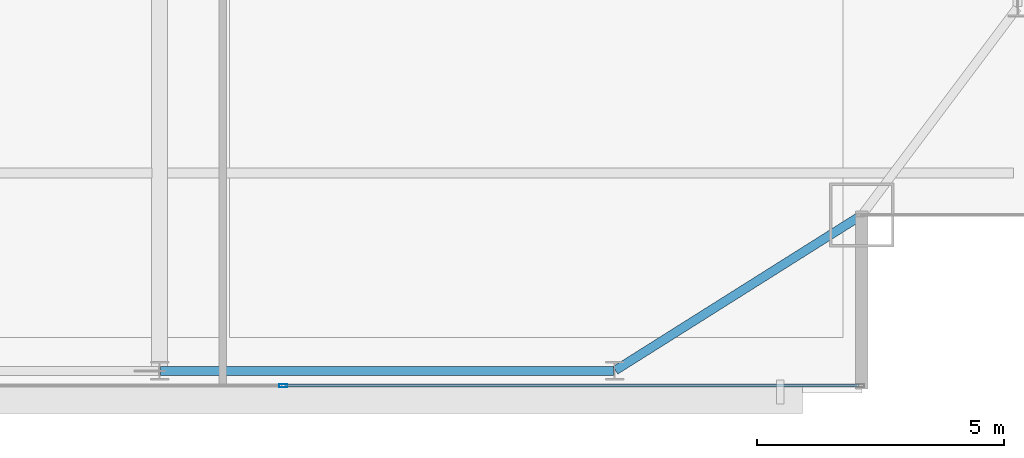
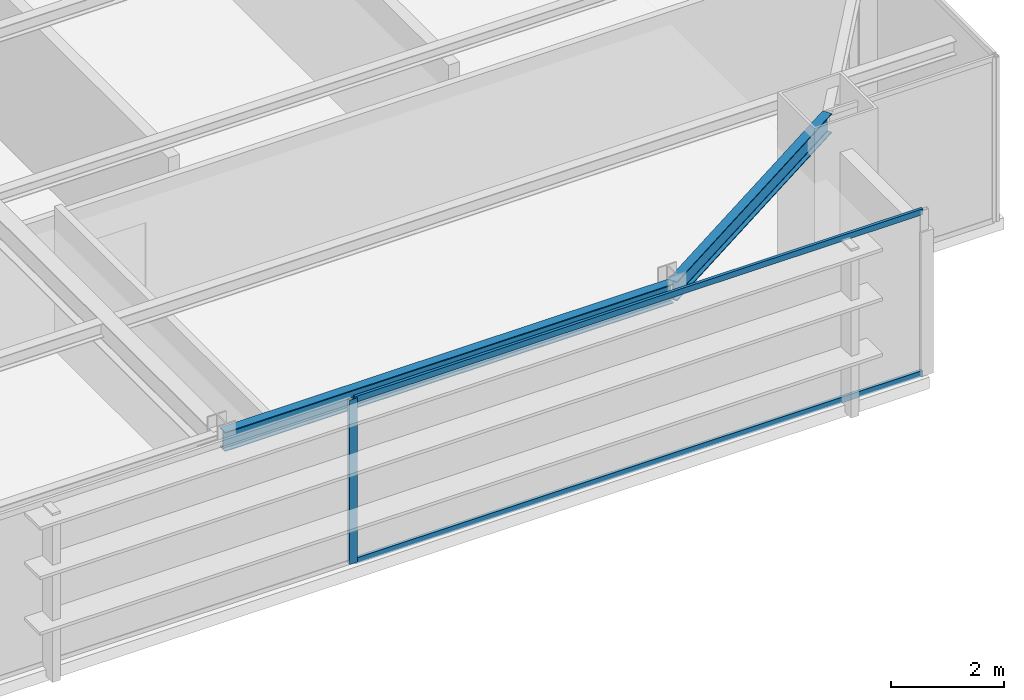
# One storey, part 13 of 29: 3 members, 2 beams, 1 element without a shape of its own.
"""IFC4 building model written with IfcOpenShell, lengths in metres."""

from ifc_helpers import new_model, si_unit, direction, frame, origin, origin_2d, place, context, subcontext, project, spatial, hollow_rectangle, i_section, extrude, source, transform, mapped, material, layer, layer_set, material_profile, profile_set, type_object, type_shapes, element, aggregate, save


model = new_model("IFC4")

# Units and contexts
model_context = context("Model", 3, precision=1e-05, world=origin(), true_north=direction((0.0, 1.0)))
body_context = subcontext(model_context, "Body", "Model", "MODEL_VIEW")
ifc_project = project(units=[si_unit("LENGTHUNIT", "METRE"), si_unit("AREAUNIT", "SQUARE_METRE"), si_unit("VOLUMEUNIT", "CUBIC_METRE"), si_unit("PLANEANGLEUNIT", "RADIAN"), si_unit("MASSUNIT", "GRAM", prefix="KILO")], contexts=[model_context])

# Site, building, storey
site_placement = place(None, origin())
site = spatial("IfcSite", under=ifc_project, at=site_placement, CompositionType="ELEMENT")
building_placement = place(site_placement, origin())
building = spatial("IfcBuilding", under=site, at=building_placement, Name="Varnel Quay Broadcast Tower", CompositionType="ELEMENT")
storey_placement = place(building_placement, frame((0.0, 0.0, 172.39990234375)))
storey = spatial("IfcBuildingStorey", under=building, at=storey_placement, Name="L42", CompositionType="ELEMENT", Elevation=172.39990234375)

# Beams
ifc_material_1 = material(Name="Structural Steel CSA G40.21 350W", Category="steel")
ifc_material_profile_1 = material_profile(ifc_material_1, i_section(OverallWidth=0.180908203125, OverallDepth=0.4169921875, WebThickness=0.010986328125, FlangeThickness=0.018310546875, FilletRadius=0.011962890625, at=origin_2d()), Name="W410X85")
ifc_profile_set_1 = profile_set([ifc_material_profile_1], Name="Structural Steel CSA G40.21 350W")
beam_type = type_object("IfcBeamType", Name="Beam_W410X85", PredefinedType="SPANDREL", material=ifc_profile_set_1)
shared_shape_1 = source(origin(), body_context, "Body", "SweptSolid", [
    extrude(i_section(OverallWidth=0.180908203125, OverallDepth=0.4169921875, WebThickness=0.010986328125, FlangeThickness=0.018310546875, FilletRadius=0.011962890625, at=origin_2d()), origin(), (0.0, 0.0, 1.0), 9.159912109375),
])
beam_1_placement = place(storey_placement, frame((43.219970703125, 7.64990234375, 3.341552734375), z_axis=(1.0, 0.0, 0.0), x_axis=(0.0, 1.0, 0.0)))
element("IfcBeam", 1, at=beam_1_placement, inside=storey, type_object=beam_type, Name="L42 South Spandrel TC-S4-TC-S5", PredefinedType="SPANDREL", context=body_context, shape_type="MappedRepresentation", body=[
    mapped(shared_shape_1, transform((0.0, 0.0, 0.0), x_axis=(1.0, 0.0, 0.0), y_axis=(0.0, 1.0, 0.0), z_axis=(0.0, 0.0, 1.0), scale=1.0)),
])
shared_shape_2 = source(origin(), body_context, "Body", "SweptSolid", [
    extrude(i_section(OverallWidth=0.180908203125, OverallDepth=0.4169921875, WebThickness=0.010986328125, FlangeThickness=0.018310546875, FilletRadius=0.011962890625, at=origin_2d()), origin(), (0.0, 0.0, 1.0), 5.869384765625),
])
type_shapes(beam_type, [shared_shape_1, shared_shape_2])
beam_2_placement = place(storey_placement, frame((52.4169921875, 7.66064453125, 3.341552734375), z_axis=(0.846088328928, 0.533042718412, 0.0), x_axis=(-0.533042718412, 0.846088328928, 0.0)))
element("IfcBeam", 2, at=beam_2_placement, inside=storey, type_object=beam_type, Name="L42 South Spandrel TC-S5-MC-SE", PredefinedType="SPANDREL", context=body_context, shape_type="MappedRepresentation", body=[
    mapped(shared_shape_2, transform((0.0, 0.0, 0.0), x_axis=(1.0, 0.0, 0.0), y_axis=(0.0, 1.0, 0.0), z_axis=(0.0, 0.0, 1.0), scale=1.0)),
])

# Curtain wall, members
ifc_material_2 = material(Name="Anodised Bronze Aluminium 6063-T6", Category="aluminium")
ifc_layer = layer(ifc_material_2, 0.18994140625, Name="Anodised Bronze Aluminium 6063-T6")
ifc_layer_set = layer_set([ifc_layer], Name="Anodised Bronze Aluminium 6063-T6")
curtain_wall_type = type_object("IfcCurtainWallType", Name="CW_UpperTower", PredefinedType="NOTDEFINED", material=ifc_layer_set)
curtain_wall_placement = place(storey_placement, origin())
curtain_wall = element("IfcCurtainWall", 3, at=curtain_wall_placement, inside=storey, type_object=curtain_wall_type, Name="L42 South Unitised Curtain Wall 1", PredefinedType="NOTDEFINED")
ifc_material_profile_2 = material_profile(ifc_material_2, hollow_rectangle(XDim=0.06494140625, YDim=0.1650390625, WallThickness=0.00341796875, at=origin_2d()), Name="ALU65X165X3.5")
ifc_profile_set_2 = profile_set([ifc_material_profile_2], Name="Anodised Bronze Aluminium 6063-T6")
member_type_1 = type_object("IfcMemberType", Name="Mull_CWS-03", PredefinedType="MULLION", material=ifc_profile_set_2)
shared_shape_3 = source(origin(), body_context, "Body", "SweptSolid", [
    extrude(hollow_rectangle(XDim=0.06494140625, YDim=0.1650390625, WallThickness=0.00341796875, at=origin_2d()), origin(), (0.0, 0.0, 1.0), 3.550048828125),
])
type_shapes(member_type_1, [shared_shape_3])
member_1_placement = place(storey_placement, frame((45.699951171875, 7.35009765625, 0.0), z_axis=(0.0, 0.0, 1.0), x_axis=(0.0, 1.0, 0.0)))
member_1 = element("IfcMember", 4, at=member_1_placement, type_object=member_type_1, Name="CWS-03 mullion 4", PredefinedType="MULLION", context=body_context, shape_type="MappedRepresentation", body=[
    mapped(shared_shape_3, transform((0.0, 0.0, 0.0), x_axis=(1.0, 0.0, 0.0), y_axis=(0.0, 1.0, 0.0), z_axis=(0.0, 0.0, 1.0), scale=1.0)),
])
ifc_material_profile_3 = material_profile(ifc_material_2, hollow_rectangle(XDim=0.06005859375, YDim=0.125, WallThickness=0.0029296875, at=origin_2d()), Name="ALU60X125X3")
ifc_profile_set_3 = profile_set([ifc_material_profile_3], Name="Anodised Bronze Aluminium 6063-T6")
member_type_2 = type_object("IfcMemberType", Name="Tran_CWS-03", PredefinedType="USERDEFINED", material=ifc_profile_set_3)
shared_shape_4 = source(origin(), body_context, "Body", "SweptSolid", [
    extrude(hollow_rectangle(XDim=0.06005859375, YDim=0.125, WallThickness=0.0029296875, at=origin_2d()), origin(), (0.0, 0.0, 1.0), 11.6025390625),
])
type_shapes(member_type_2, [shared_shape_4])
member_2_placement = place(storey_placement, frame((45.732421875, 7.35009765625, 0.030029296875), z_axis=(1.0, 0.0, 0.0), x_axis=(0.0, 1.0, 0.0)))
member_2 = element("IfcMember", 5, at=member_2_placement, type_object=member_type_2, Name="CWS-03 transom 4.1", ObjectType="TRANSOM", PredefinedType="USERDEFINED", context=body_context, shape_type="MappedRepresentation", body=[
    mapped(shared_shape_4, transform((0.0, 0.0, 0.0), x_axis=(1.0, 0.0, 0.0), y_axis=(0.0, 1.0, 0.0), z_axis=(0.0, 0.0, 1.0), scale=1.0)),
])
member_3_placement = place(storey_placement, frame((45.732421875, 7.35009765625, 3.52001953125), z_axis=(1.0, 0.0, 0.0), x_axis=(0.0, 1.0, 0.0)))
member_3 = element("IfcMember", 6, at=member_3_placement, type_object=member_type_2, Name="CWS-03 transom 4.2", ObjectType="TRANSOM", PredefinedType="USERDEFINED", context=body_context, shape_type="MappedRepresentation", body=[
    mapped(shared_shape_4, transform((0.0, 0.0, 0.0), x_axis=(1.0, 0.0, 0.0), y_axis=(0.0, 1.0, 0.0), z_axis=(0.0, 0.0, 1.0), scale=1.0)),
])
aggregate(curtain_wall, [member_1, member_2, member_3])

save(model, "model.ifc")
